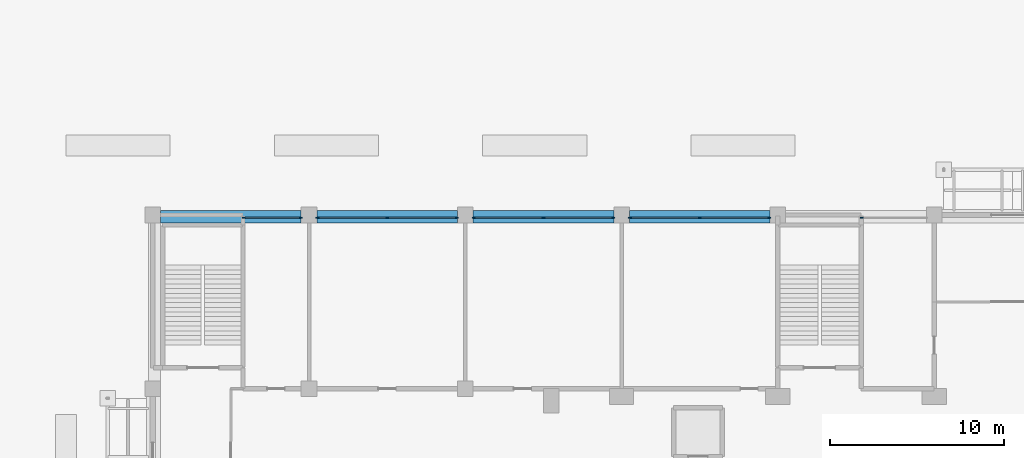
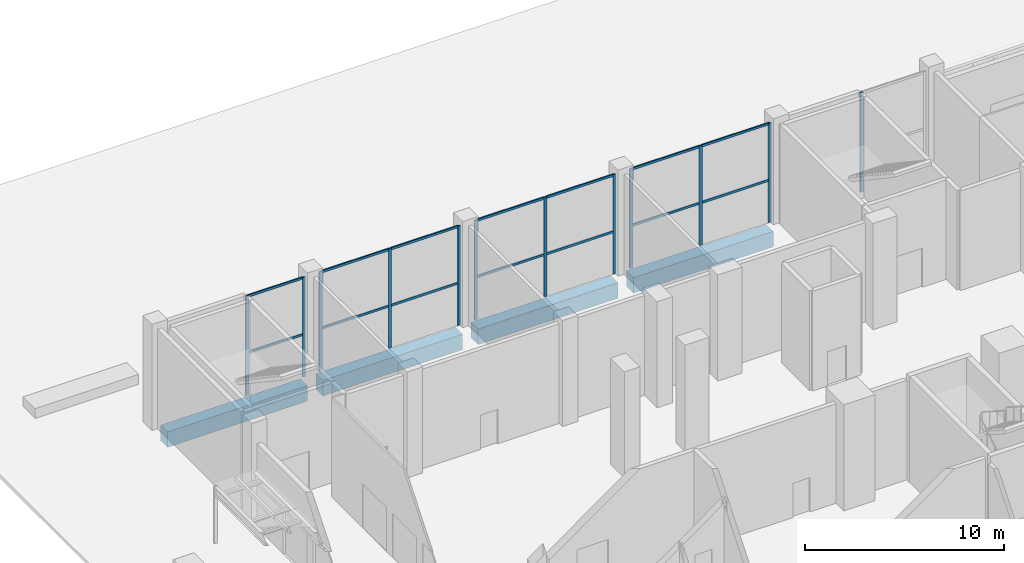
# One storey, part 24 of 39: 26 members, 4 beams, 5 elements without a shape of their own.
"""IFC4 building model written with IfcOpenShell, lengths in metres."""

from ifc_helpers import new_model, si_unit, direction, frame, origin, origin_2d, place, context, subcontext, project, spatial, rectangle, extrude, material, layer, layer_set, material_profile, profile_set, type_object, element, aggregate, save


model = new_model("IFC4")

# Units and contexts
model_context = context("Model", 3, precision=1e-05, world=origin(), true_north=direction((0.0, 1.0)))
body_context = subcontext(model_context, "Body", "Model", "MODEL_VIEW")
ifc_project = project(units=[si_unit("LENGTHUNIT", "METRE"), si_unit("AREAUNIT", "SQUARE_METRE"), si_unit("VOLUMEUNIT", "CUBIC_METRE"), si_unit("PLANEANGLEUNIT", "RADIAN"), si_unit("MASSUNIT", "GRAM", prefix="KILO")], contexts=[model_context])

# Site, building, storey
site_placement = place(None, origin())
site = spatial("IfcSite", under=ifc_project, at=site_placement, CompositionType="ELEMENT")
building_placement = place(site_placement, origin())
building = spatial("IfcBuilding", under=site, at=building_placement, Name="Brigalow Station Residences", CompositionType="ELEMENT")
storey_placement = place(building_placement, origin())
storey = spatial("IfcBuildingStorey", under=building, at=storey_placement, Name="L00", CompositionType="ELEMENT", Elevation=0.0)

# Beams
ifc_material_1 = material(Name="Concrete C65", Category="concrete")
ifc_material_profile_1 = material_profile(ifc_material_1, rectangle(XDim=0.699951171875, YDim=0.949951171875, at=origin_2d()), Name="RC700x950")
ifc_profile_set_1 = profile_set([ifc_material_profile_1], Name="Concrete C65")
beam_type = type_object("IfcBeamType", Name="EDGE GIRDER 4.5 TO 9.9 M SPAN 700x950 C65", PredefinedType="BEAM", material=ifc_profile_set_1)
for number, where, z_axis, x_axis, name in (
    (1, (-17.550048828125, 58.39990234375, -0.876953125), (1.0, 0.0, 0.0), (0.0, 1.0, 0.0), "PODIUM EDGE GIRDER N19 L00"),
    (2, (-8.550048828125, 58.39990234375, -0.876953125), (1.0, 0.0, 0.0), (0.0, 1.0, 0.0), "PODIUM EDGE GIRDER N20 L00"),
    (3, (0.449951171875, 58.39990234375, -0.876953125), (1.0, 0.0, 0.0), (0.0, 1.0, 0.0), "PODIUM EDGE GIRDER N21 L00"),
    (4, (9.449951171875, 58.39990234375, -0.876953125), (1.0, 0.0, 0.0), (0.0, 1.0, 0.0), "PODIUM EDGE GIRDER N22 L00"),
):
    element("IfcBeam", number, at=place(storey_placement, frame(where, z_axis=z_axis, x_axis=x_axis)), inside=storey, type_object=beam_type, Name=name, PredefinedType="BEAM", context=body_context, shape_type="SweptSolid", body=[
        extrude(rectangle(XDim=0.699951171875, YDim=0.949951171875, at=origin_2d()), origin(), (0.0, 0.0, 1.0), 8.10009765625),
    ])

# Curtain wall, member
ifc_material_2 = material(Name="Aluminium", Category="aluminium")
ifc_layer = layer(ifc_material_2, 0.179931640625)
ifc_layer_set = layer_set([ifc_layer], Name="STATION CONCOURSE SHOPFRONT GLAZING CURTAIN WALL")
curtain_wall_type = type_object("IfcCurtainWallType", Name="STATION CONCOURSE SHOPFRONT GLAZING CURTAIN WALL", PredefinedType="NOTDEFINED", material=ifc_layer_set)
curtain_wall_1_placement = place(storey_placement, origin())
curtain_wall_1 = element("IfcCurtainWall", 5, at=curtain_wall_1_placement, inside=storey, type_object=curtain_wall_type, Name="L00/cw/podium-W-L00-19-8", PredefinedType="NOTDEFINED")
ifc_material_3 = material(Name="Aluminium", Category="aluminium")
ifc_material_profile_2 = material_profile(ifc_material_3, rectangle(XDim=0.074951171875, YDim=0.179931640625, at=origin_2d()), Name="STATION CONCOURSE SHOPFRONT GLAZING MULLION 75x180")
ifc_profile_set_2 = profile_set([ifc_material_profile_2], Name="Aluminium")
member_type_1 = type_object("IfcMemberType", Name="STATION CONCOURSE SHOPFRONT GLAZING MULLION 75x180", PredefinedType="MULLION", material=ifc_profile_set_2)
member_1_placement = place(storey_placement, frame((22.83740234375, 58.35009765625, 0.0), z_axis=(0.0, 0.0, 1.0), x_axis=(0.0, -1.0, 0.0)))
member_1 = element("IfcMember", 6, at=member_1_placement, type_object=member_type_1, Name="L00/cw/podium-W-L00-19-8/M01", PredefinedType="MULLION", context=body_context, shape_type="SweptSolid", body=[
    extrude(rectangle(XDim=0.074951171875, YDim=0.179931640625, at=origin_2d()), origin(), (0.0, 0.0, 1.0), 6.097900390625),
])
aggregate(curtain_wall_1, [member_1])

# Curtain wall, members
curtain_wall_2_placement = place(storey_placement, origin())
curtain_wall_2 = element("IfcCurtainWall", 7, at=curtain_wall_2_placement, inside=storey, type_object=curtain_wall_type, Name="L00/cw/podium-W-L00-19-9", PredefinedType="NOTDEFINED")
member_2_placement = place(storey_placement, frame((17.512451171875, 58.35009765625, 0.0), z_axis=(0.0, 0.0, 1.0), x_axis=(0.0, -1.0, 0.0)))
member_2 = element("IfcMember", 8, at=member_2_placement, type_object=member_type_1, Name="L00/cw/podium-W-L00-19-9/M00", PredefinedType="MULLION", context=body_context, shape_type="SweptSolid", body=[
    extrude(rectangle(XDim=0.074951171875, YDim=0.179931640625, at=origin_2d()), origin(), (0.0, 0.0, 1.0), 6.097900390625),
])
member_3_placement = place(storey_placement, frame((13.5, 58.35009765625, 0.0), z_axis=(0.0, 0.0, 1.0), x_axis=(0.0, -1.0, 0.0)))
member_3 = element("IfcMember", 9, at=member_3_placement, type_object=member_type_1, Name="L00/cw/podium-W-L00-19-9/M01", PredefinedType="MULLION", context=body_context, shape_type="SweptSolid", body=[
    extrude(rectangle(XDim=0.074951171875, YDim=0.179931640625, at=origin_2d()), origin(), (0.0, 0.0, 1.0), 6.097900390625),
])
member_4_placement = place(storey_placement, frame((9.487548828125, 58.35009765625, 0.0), z_axis=(0.0, 0.0, 1.0), x_axis=(0.0, -1.0, 0.0)))
member_4 = element("IfcMember", 10, at=member_4_placement, type_object=member_type_1, Name="L00/cw/podium-W-L00-19-9/M02", PredefinedType="MULLION", context=body_context, shape_type="SweptSolid", body=[
    extrude(rectangle(XDim=0.074951171875, YDim=0.179931640625, at=origin_2d()), origin(), (0.0, 0.0, 1.0), 6.097900390625),
])

curtain_wall_3_placement = place(storey_placement, origin())
curtain_wall_3 = element("IfcCurtainWall", 11, at=curtain_wall_3_placement, inside=storey, type_object=curtain_wall_type, Name="L00/cw/podium-W-L00-19-10", PredefinedType="NOTDEFINED")
member_5_placement = place(storey_placement, frame((8.512451171875, 58.35009765625, 0.0), z_axis=(0.0, 0.0, 1.0), x_axis=(0.0, -1.0, 0.0)))
member_5 = element("IfcMember", 12, at=member_5_placement, type_object=member_type_1, Name="L00/cw/podium-W-L00-19-10/M00", PredefinedType="MULLION", context=body_context, shape_type="SweptSolid", body=[
    extrude(rectangle(XDim=0.074951171875, YDim=0.179931640625, at=origin_2d()), origin(), (0.0, 0.0, 1.0), 6.097900390625),
])
member_6_placement = place(storey_placement, frame((4.5, 58.35009765625, 0.0), z_axis=(0.0, 0.0, 1.0), x_axis=(0.0, -1.0, 0.0)))
member_6 = element("IfcMember", 13, at=member_6_placement, type_object=member_type_1, Name="L00/cw/podium-W-L00-19-10/M01", PredefinedType="MULLION", context=body_context, shape_type="SweptSolid", body=[
    extrude(rectangle(XDim=0.074951171875, YDim=0.179931640625, at=origin_2d()), origin(), (0.0, 0.0, 1.0), 6.097900390625),
])
member_7_placement = place(storey_placement, frame((0.487548828125, 58.35009765625, 0.0), z_axis=(0.0, 0.0, 1.0), x_axis=(0.0, -1.0, 0.0)))
member_7 = element("IfcMember", 14, at=member_7_placement, type_object=member_type_1, Name="L00/cw/podium-W-L00-19-10/M02", PredefinedType="MULLION", context=body_context, shape_type="SweptSolid", body=[
    extrude(rectangle(XDim=0.074951171875, YDim=0.179931640625, at=origin_2d()), origin(), (0.0, 0.0, 1.0), 6.097900390625),
])

curtain_wall_4_placement = place(storey_placement, origin())
curtain_wall_4 = element("IfcCurtainWall", 15, at=curtain_wall_4_placement, inside=storey, type_object=curtain_wall_type, Name="L00/cw/podium-W-L00-19-11", PredefinedType="NOTDEFINED")
member_8_placement = place(storey_placement, frame((-0.487548828125, 58.35009765625, 0.0), z_axis=(0.0, 0.0, 1.0), x_axis=(0.0, -1.0, 0.0)))
member_8 = element("IfcMember", 16, at=member_8_placement, type_object=member_type_1, Name="L00/cw/podium-W-L00-19-11/M00", PredefinedType="MULLION", context=body_context, shape_type="SweptSolid", body=[
    extrude(rectangle(XDim=0.074951171875, YDim=0.179931640625, at=origin_2d()), origin(), (0.0, 0.0, 1.0), 6.097900390625),
])
member_9_placement = place(storey_placement, frame((-4.5, 58.35009765625, 0.0), z_axis=(0.0, 0.0, 1.0), x_axis=(0.0, -1.0, 0.0)))
member_9 = element("IfcMember", 17, at=member_9_placement, type_object=member_type_1, Name="L00/cw/podium-W-L00-19-11/M01", PredefinedType="MULLION", context=body_context, shape_type="SweptSolid", body=[
    extrude(rectangle(XDim=0.074951171875, YDim=0.179931640625, at=origin_2d()), origin(), (0.0, 0.0, 1.0), 6.097900390625),
])
member_10_placement = place(storey_placement, frame((-8.512451171875, 58.35009765625, 0.0), z_axis=(0.0, 0.0, 1.0), x_axis=(0.0, -1.0, 0.0)))
member_10 = element("IfcMember", 18, at=member_10_placement, type_object=member_type_1, Name="L00/cw/podium-W-L00-19-11/M02", PredefinedType="MULLION", context=body_context, shape_type="SweptSolid", body=[
    extrude(rectangle(XDim=0.074951171875, YDim=0.179931640625, at=origin_2d()), origin(), (0.0, 0.0, 1.0), 6.097900390625),
])

curtain_wall_5_placement = place(storey_placement, origin())
curtain_wall_5 = element("IfcCurtainWall", 19, at=curtain_wall_5_placement, inside=storey, type_object=curtain_wall_type, Name="L00/cw/podium-W-L00-19-12", PredefinedType="NOTDEFINED")
member_11_placement = place(storey_placement, frame((-9.487548828125, 58.35009765625, 0.0), z_axis=(0.0, 0.0, 1.0), x_axis=(0.0, -1.0, 0.0)))
member_11 = element("IfcMember", 20, at=member_11_placement, type_object=member_type_1, Name="L00/cw/podium-W-L00-19-12/M00", PredefinedType="MULLION", context=body_context, shape_type="SweptSolid", body=[
    extrude(rectangle(XDim=0.074951171875, YDim=0.179931640625, at=origin_2d()), origin(), (0.0, 0.0, 1.0), 6.097900390625),
])
member_12_placement = place(storey_placement, frame((-12.762451171875, 58.35009765625, 0.0), z_axis=(0.0, 0.0, 1.0), x_axis=(0.0, -1.0, 0.0)))
member_12 = element("IfcMember", 21, at=member_12_placement, type_object=member_type_1, Name="L00/cw/podium-W-L00-19-12/M01", PredefinedType="MULLION", context=body_context, shape_type="SweptSolid", body=[
    extrude(rectangle(XDim=0.074951171875, YDim=0.179931640625, at=origin_2d()), origin(), (0.0, 0.0, 1.0), 6.097900390625),
])

# Member
ifc_material_4 = material(Name="Aluminium", Category="aluminium")
ifc_material_profile_3 = material_profile(ifc_material_4, rectangle(XDim=0.074951171875, YDim=0.139892578125, at=origin_2d()), Name="STATION CONCOURSE SHOPFRONT GLAZING TRANSOM 75x140")
ifc_profile_set_3 = profile_set([ifc_material_profile_3], Name="Aluminium")
member_type_2 = type_object("IfcMemberType", Name="STATION CONCOURSE SHOPFRONT GLAZING TRANSOM 75x140", PredefinedType="USERDEFINED", material=ifc_profile_set_3)
member_13_placement = place(storey_placement, frame((17.47509765625, 58.35009765625, 2.60009765625), z_axis=(-1.0, 0.0, 0.0), x_axis=(0.0, -1.0, 0.0)))
member_13 = element("IfcMember", 22, at=member_13_placement, type_object=member_type_2, Name="L00/cw/podium-W-L00-19-9/T00-00", ObjectType="TRANSOM", PredefinedType="USERDEFINED", context=body_context, shape_type="SweptSolid", body=[
    extrude(rectangle(XDim=0.074951171875, YDim=0.139892578125, at=origin_2d()), origin(), (0.0, 0.0, 1.0), 3.9375),
])

member_14_placement = place(storey_placement, frame((17.47509765625, 58.35009765625, 6.060546875), z_axis=(-1.0, 0.0, 0.0), x_axis=(0.0, -1.0, 0.0)))
member_14 = element("IfcMember", 23, at=member_14_placement, type_object=member_type_2, Name="L00/cw/podium-W-L00-19-9/T00-01", ObjectType="TRANSOM", PredefinedType="USERDEFINED", context=body_context, shape_type="SweptSolid", body=[
    extrude(rectangle(XDim=0.074951171875, YDim=0.139892578125, at=origin_2d()), origin(), (0.0, 0.0, 1.0), 3.9375),
])

member_15_placement = place(storey_placement, frame((13.46240234375, 58.35009765625, 2.60009765625), z_axis=(-1.0, 0.0, 0.0), x_axis=(0.0, -1.0, 0.0)))
member_15 = element("IfcMember", 24, at=member_15_placement, type_object=member_type_2, Name="L00/cw/podium-W-L00-19-9/T01-00", ObjectType="TRANSOM", PredefinedType="USERDEFINED", context=body_context, shape_type="SweptSolid", body=[
    extrude(rectangle(XDim=0.074951171875, YDim=0.139892578125, at=origin_2d()), origin(), (0.0, 0.0, 1.0), 3.9375),
])

member_16_placement = place(storey_placement, frame((13.46240234375, 58.35009765625, 6.060546875), z_axis=(-1.0, 0.0, 0.0), x_axis=(0.0, -1.0, 0.0)))
member_16 = element("IfcMember", 25, at=member_16_placement, type_object=member_type_2, Name="L00/cw/podium-W-L00-19-9/T01-01", ObjectType="TRANSOM", PredefinedType="USERDEFINED", context=body_context, shape_type="SweptSolid", body=[
    extrude(rectangle(XDim=0.074951171875, YDim=0.139892578125, at=origin_2d()), origin(), (0.0, 0.0, 1.0), 3.9375),
])

aggregate(curtain_wall_2, [member_2, member_3, member_4, member_13, member_14, member_15, member_16])

member_17_placement = place(storey_placement, frame((8.47509765625, 58.35009765625, 2.60009765625), z_axis=(-1.0, 0.0, 0.0), x_axis=(0.0, -1.0, 0.0)))
member_17 = element("IfcMember", 26, at=member_17_placement, type_object=member_type_2, Name="L00/cw/podium-W-L00-19-10/T00-00", ObjectType="TRANSOM", PredefinedType="USERDEFINED", context=body_context, shape_type="SweptSolid", body=[
    extrude(rectangle(XDim=0.074951171875, YDim=0.139892578125, at=origin_2d()), origin(), (0.0, 0.0, 1.0), 3.9375),
])

member_18_placement = place(storey_placement, frame((8.47509765625, 58.35009765625, 6.060546875), z_axis=(-1.0, 0.0, 0.0), x_axis=(0.0, -1.0, 0.0)))
member_18 = element("IfcMember", 27, at=member_18_placement, type_object=member_type_2, Name="L00/cw/podium-W-L00-19-10/T00-01", ObjectType="TRANSOM", PredefinedType="USERDEFINED", context=body_context, shape_type="SweptSolid", body=[
    extrude(rectangle(XDim=0.074951171875, YDim=0.139892578125, at=origin_2d()), origin(), (0.0, 0.0, 1.0), 3.9375),
])

member_19_placement = place(storey_placement, frame((4.46240234375, 58.35009765625, 2.60009765625), z_axis=(-1.0, 0.0, 0.0), x_axis=(0.0, -1.0, 0.0)))
member_19 = element("IfcMember", 28, at=member_19_placement, type_object=member_type_2, Name="L00/cw/podium-W-L00-19-10/T01-00", ObjectType="TRANSOM", PredefinedType="USERDEFINED", context=body_context, shape_type="SweptSolid", body=[
    extrude(rectangle(XDim=0.074951171875, YDim=0.139892578125, at=origin_2d()), origin(), (0.0, 0.0, 1.0), 3.9375),
])

member_20_placement = place(storey_placement, frame((4.46240234375, 58.35009765625, 6.060546875), z_axis=(-1.0, 0.0, 0.0), x_axis=(0.0, -1.0, 0.0)))
member_20 = element("IfcMember", 29, at=member_20_placement, type_object=member_type_2, Name="L00/cw/podium-W-L00-19-10/T01-01", ObjectType="TRANSOM", PredefinedType="USERDEFINED", context=body_context, shape_type="SweptSolid", body=[
    extrude(rectangle(XDim=0.074951171875, YDim=0.139892578125, at=origin_2d()), origin(), (0.0, 0.0, 1.0), 3.9375),
])

aggregate(curtain_wall_3, [member_5, member_6, member_7, member_17, member_18, member_19, member_20])

member_21_placement = place(storey_placement, frame((-0.52490234375, 58.35009765625, 2.60009765625), z_axis=(-1.0, 0.0, 0.0), x_axis=(0.0, -1.0, 0.0)))
member_21 = element("IfcMember", 30, at=member_21_placement, type_object=member_type_2, Name="L00/cw/podium-W-L00-19-11/T00-00", ObjectType="TRANSOM", PredefinedType="USERDEFINED", context=body_context, shape_type="SweptSolid", body=[
    extrude(rectangle(XDim=0.074951171875, YDim=0.139892578125, at=origin_2d()), origin(), (0.0, 0.0, 1.0), 3.9375),
])

member_22_placement = place(storey_placement, frame((-0.52490234375, 58.35009765625, 6.060546875), z_axis=(-1.0, 0.0, 0.0), x_axis=(0.0, -1.0, 0.0)))
member_22 = element("IfcMember", 31, at=member_22_placement, type_object=member_type_2, Name="L00/cw/podium-W-L00-19-11/T00-01", ObjectType="TRANSOM", PredefinedType="USERDEFINED", context=body_context, shape_type="SweptSolid", body=[
    extrude(rectangle(XDim=0.074951171875, YDim=0.139892578125, at=origin_2d()), origin(), (0.0, 0.0, 1.0), 3.9375),
])

member_23_placement = place(storey_placement, frame((-4.53759765625, 58.35009765625, 2.60009765625), z_axis=(-1.0, 0.0, 0.0), x_axis=(0.0, -1.0, 0.0)))
member_23 = element("IfcMember", 32, at=member_23_placement, type_object=member_type_2, Name="L00/cw/podium-W-L00-19-11/T01-00", ObjectType="TRANSOM", PredefinedType="USERDEFINED", context=body_context, shape_type="SweptSolid", body=[
    extrude(rectangle(XDim=0.074951171875, YDim=0.139892578125, at=origin_2d()), origin(), (0.0, 0.0, 1.0), 3.9375),
])

member_24_placement = place(storey_placement, frame((-4.53759765625, 58.35009765625, 6.060546875), z_axis=(-1.0, 0.0, 0.0), x_axis=(0.0, -1.0, 0.0)))
member_24 = element("IfcMember", 33, at=member_24_placement, type_object=member_type_2, Name="L00/cw/podium-W-L00-19-11/T01-01", ObjectType="TRANSOM", PredefinedType="USERDEFINED", context=body_context, shape_type="SweptSolid", body=[
    extrude(rectangle(XDim=0.074951171875, YDim=0.139892578125, at=origin_2d()), origin(), (0.0, 0.0, 1.0), 3.9375),
])

aggregate(curtain_wall_4, [member_8, member_9, member_10, member_21, member_22, member_23, member_24])

member_25_placement = place(storey_placement, frame((-9.52490234375, 58.35009765625, 2.60009765625), z_axis=(-1.0, 0.0, 0.0), x_axis=(0.0, -1.0, 0.0)))
member_25 = element("IfcMember", 34, at=member_25_placement, type_object=member_type_2, Name="L00/cw/podium-W-L00-19-12/T00-00", ObjectType="TRANSOM", PredefinedType="USERDEFINED", context=body_context, shape_type="SweptSolid", body=[
    extrude(rectangle(XDim=0.074951171875, YDim=0.139892578125, at=origin_2d()), origin(), (0.0, 0.0, 1.0), 3.2001953125),
])

member_26_placement = place(storey_placement, frame((-9.52490234375, 58.35009765625, 6.060546875), z_axis=(-1.0, 0.0, 0.0), x_axis=(0.0, -1.0, 0.0)))
member_26 = element("IfcMember", 35, at=member_26_placement, type_object=member_type_2, Name="L00/cw/podium-W-L00-19-12/T00-01", ObjectType="TRANSOM", PredefinedType="USERDEFINED", context=body_context, shape_type="SweptSolid", body=[
    extrude(rectangle(XDim=0.074951171875, YDim=0.139892578125, at=origin_2d()), origin(), (0.0, 0.0, 1.0), 3.2001953125),
])

aggregate(curtain_wall_5, [member_11, member_12, member_25, member_26])

save(model, "model.ifc")
